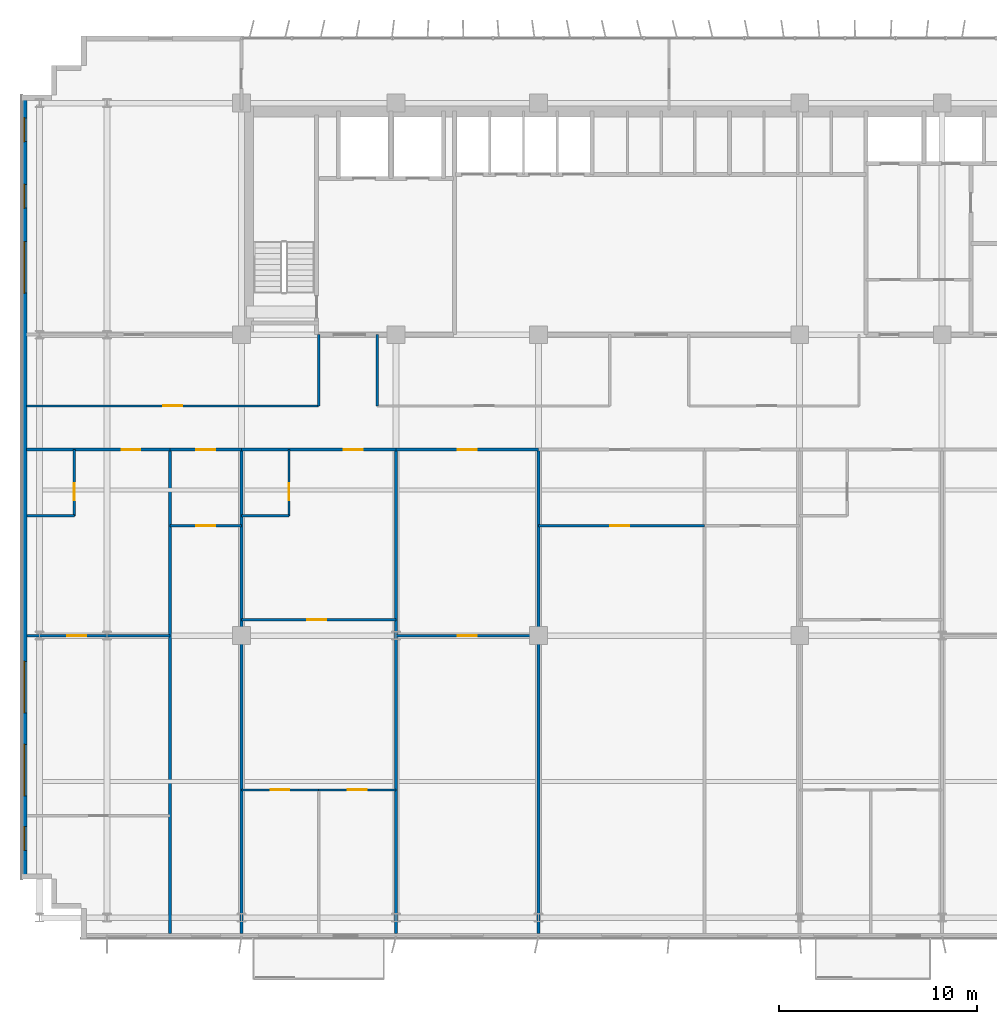
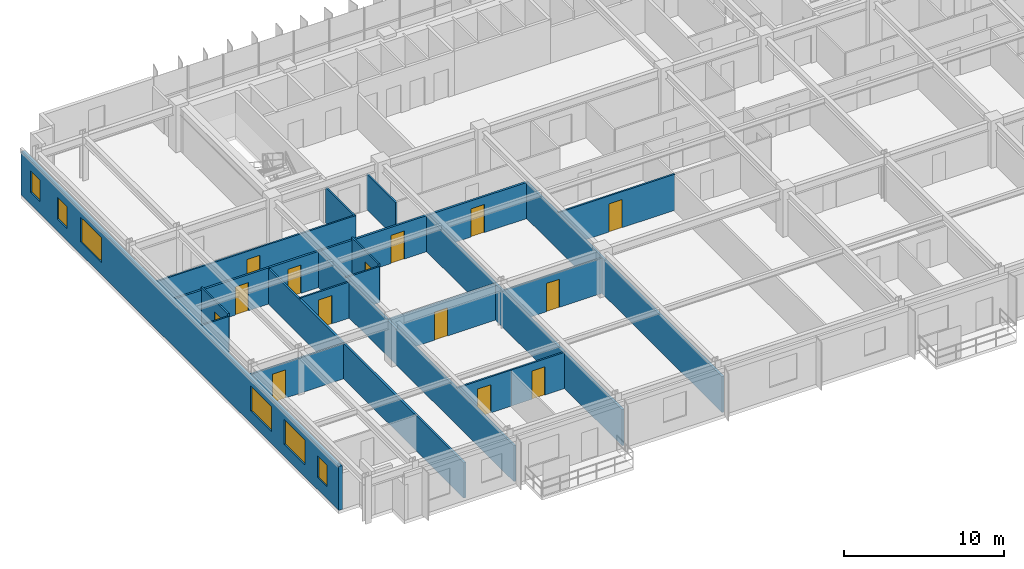
# One storey, part 15 of 22: 23 walls, 14 doors, 6 windows, 20 openings.
"""IFC4 building model written with IfcOpenShell, lengths in metres."""

from ifc_helpers import new_model, si_unit, direction, frame, frame_2d, origin, place, context, subcontext, project, spatial, rectangle, extrude, source, transform, mapped, material, layer, layer_set, type_object, element, fill, save


model = new_model("IFC4")

# Units and contexts
model_context = context("Model", 3, precision=1e-05, world=origin(), true_north=direction((0.0, 1.0)))
body_context = subcontext(model_context, "Body", "Model", "MODEL_VIEW")
ifc_project = project(units=[si_unit("LENGTHUNIT", "METRE"), si_unit("AREAUNIT", "SQUARE_METRE"), si_unit("VOLUMEUNIT", "CUBIC_METRE"), si_unit("PLANEANGLEUNIT", "RADIAN"), si_unit("MASSUNIT", "GRAM", prefix="KILO")], contexts=[model_context])

# Site, building, storey
site_placement = place(None, origin())
site = spatial("IfcSite", under=ifc_project, at=site_placement, CompositionType="ELEMENT")
building_placement = place(site_placement, origin())
building = spatial("IfcBuilding", under=site, at=building_placement, Name="Trelvane Seafront Commons", CompositionType="ELEMENT")
storey_placement = place(building_placement, frame((0.0, 0.0, 48.699951171875)))
storey = spatial("IfcBuildingStorey", under=building, at=storey_placement, Name="L12", CompositionType="ELEMENT", Elevation=48.699951171875)

# Wall, openings, windows
ifc_material_1 = material(Name="Precast concrete C40/50", Category="concrete")
ifc_layer_1 = layer(ifc_material_1, 0.260009765625, Name="ARCH-WALL-EXT260")
ifc_layer_set_1 = layer_set([ifc_layer_1], Name="Precast concrete C40/50")
wall_type_1 = type_object("IfcWallType", Name="ARCH-WALL-EXT260", PredefinedType="SOLIDWALL", material=ifc_layer_set_1)
wall_1_placement = place(storey_placement, frame((4.6298828125, 5.89990234375, 0.0), z_axis=(0.0, 0.0, 1.0), x_axis=(0.0, 1.0, 0.0)))
wall_1 = element("IfcWall", 1, at=wall_1_placement, inside=storey, type_object=wall_type_1, Name="EW-L12-00197", PredefinedType="SOLIDWALL", context=body_context, shape_type="SweptSolid", body=[
    extrude(rectangle(XDim=39.60009765625, YDim=0.260009765625, at=frame_2d((19.800048828125, 0.0))), origin(), (0.0, 0.0, 1.0), 3.340087890625),
])
opening_1_placement = place(wall_1_placement, frame((1.449951171875, 0.0, 0.919921875)))
opening_1 = element("IfcOpeningElement", 2, at=opening_1_placement, cuts=wall_1, Name="Opening W05", PredefinedType="OPENING", context=body_context, shape_type="SweptSolid", body=[
    extrude(rectangle(XDim=1.199951171875, YDim=1.64990234375, at=frame_2d((0.60009765625, 0.824951171875))), frame((0.0, 0.139892578125, 0.0), z_axis=(0.0, -1.0, 0.0), x_axis=(1.0, 0.0, 0.0)), (0.0, 0.0, 1.0), 0.280029296875),
])
opening_2_placement = place(wall_1_placement, frame((4.199951171875, 0.0, 0.919921875)))
opening_2 = element("IfcOpeningElement", 3, at=opening_2_placement, cuts=wall_1, Name="Opening W04", PredefinedType="OPENING", context=body_context, shape_type="SweptSolid", body=[
    extrude(rectangle(XDim=2.60009765625, YDim=1.89990234375, at=frame_2d((1.300048828125, 0.949951171875))), frame((0.0, 0.139892578125, 0.0), z_axis=(0.0, -1.0, 0.0), x_axis=(1.0, 0.0, 0.0)), (0.0, 0.0, 1.0), 0.280029296875),
])
opening_3_placement = place(wall_1_placement, frame((8.39990234375, 0.0, 0.919921875)))
opening_3 = element("IfcOpeningElement", 4, at=opening_3_placement, cuts=wall_1, Name="Opening W04", PredefinedType="OPENING", context=body_context, shape_type="SweptSolid", body=[
    extrude(rectangle(XDim=2.60009765625, YDim=1.89990234375, at=frame_2d((1.300048828125, 0.949951171875))), frame((0.0, 0.139892578125, 0.0), z_axis=(0.0, -1.0, 0.0), x_axis=(1.0, 0.0, 0.0)), (0.0, 0.0, 1.0), 0.280029296875),
])
opening_4_placement = place(wall_1_placement, frame((29.60009765625, 0.0, 0.919921875)))
opening_4 = element("IfcOpeningElement", 5, at=opening_4_placement, cuts=wall_1, Name="Opening W04", PredefinedType="OPENING", context=body_context, shape_type="SweptSolid", body=[
    extrude(rectangle(XDim=2.60009765625, YDim=1.89990234375, at=frame_2d((1.300048828125, 0.949951171875))), frame((0.0, 0.139892578125, 0.0), z_axis=(0.0, -1.0, 0.0), x_axis=(1.0, 0.0, 0.0)), (0.0, 0.0, 1.0), 0.280029296875),
])
opening_5_placement = place(wall_1_placement, frame((33.89990234375, 0.0, 0.919921875)))
opening_5 = element("IfcOpeningElement", 6, at=opening_5_placement, cuts=wall_1, Name="Opening W05", PredefinedType="OPENING", context=body_context, shape_type="SweptSolid", body=[
    extrude(rectangle(XDim=1.199951171875, YDim=1.64990234375, at=frame_2d((0.60009765625, 0.824951171875))), frame((0.0, 0.139892578125, 0.0), z_axis=(0.0, -1.0, 0.0), x_axis=(1.0, 0.0, 0.0)), (0.0, 0.0, 1.0), 0.280029296875),
])
opening_6_placement = place(wall_1_placement, frame((37.25, 0.0, 0.919921875)))
opening_6 = element("IfcOpeningElement", 7, at=opening_6_placement, cuts=wall_1, Name="Opening W05", PredefinedType="OPENING", context=body_context, shape_type="SweptSolid", body=[
    extrude(rectangle(XDim=1.199951171875, YDim=1.64990234375, at=frame_2d((0.60009765625, 0.824951171875))), frame((0.0, 0.139892578125, 0.0), z_axis=(0.0, -1.0, 0.0), x_axis=(1.0, 0.0, 0.0)), (0.0, 0.0, 1.0), 0.280029296875),
])
ifc_material_2 = material(Name="Low-E coastal double glazing", Category="glass")
window_type_1 = type_object("IfcWindowType", Name="ARCH-WIN-W04", PartitioningType="SINGLE_PANEL", PredefinedType="WINDOW", material=ifc_material_2)
shared_shape_1 = source(origin(), body_context, "Body", "SweptSolid", [
    extrude(rectangle(XDim=2.60009765625, YDim=1.89990234375, at=frame_2d((1.300048828125, 0.949951171875))), frame((0.0, 0.030029296875, 0.0), z_axis=(0.0, -1.0, 0.0), x_axis=(1.0, 0.0, 0.0)), (0.0, 0.0, 1.0), 0.06005859375),
])
window_1_placement = place(opening_2_placement, origin())
window_1 = element("IfcWindow", 8, at=window_1_placement, inside=storey, type_object=window_type_1, Name="WIN-L12-EW-00240", OverallHeight=1.89990234375, OverallWidth=2.60009765625, PartitioningType="SINGLE_PANEL", PredefinedType="WINDOW", context=body_context, shape_type="MappedRepresentation", body=[
    mapped(shared_shape_1, transform((0.0, 0.0, 0.0), x_axis=(1.0, 0.0, 0.0), y_axis=(0.0, 1.0, 0.0), z_axis=(0.0, 0.0, 1.0), scale=1.0)),
])
fill(opening_2, window_1)
window_2_placement = place(opening_3_placement, origin())
window_2 = element("IfcWindow", 9, at=window_2_placement, inside=storey, type_object=window_type_1, Name="WIN-L12-EW-00241", OverallHeight=1.89990234375, OverallWidth=2.60009765625, PartitioningType="SINGLE_PANEL", PredefinedType="WINDOW", context=body_context, shape_type="MappedRepresentation", body=[
    mapped(shared_shape_1, transform((0.0, 0.0, 0.0), x_axis=(1.0, 0.0, 0.0), y_axis=(0.0, 1.0, 0.0), z_axis=(0.0, 0.0, 1.0), scale=1.0)),
])
fill(opening_3, window_2)
window_3_placement = place(opening_4_placement, origin())
window_3 = element("IfcWindow", 10, at=window_3_placement, inside=storey, type_object=window_type_1, Name="WIN-L12-EW-00242", OverallHeight=1.89990234375, OverallWidth=2.60009765625, PartitioningType="SINGLE_PANEL", PredefinedType="WINDOW", context=body_context, shape_type="MappedRepresentation", body=[
    mapped(shared_shape_1, transform((0.0, 0.0, 0.0), x_axis=(1.0, 0.0, 0.0), y_axis=(0.0, 1.0, 0.0), z_axis=(0.0, 0.0, 1.0), scale=1.0)),
])
fill(opening_4, window_3)
window_type_2 = type_object("IfcWindowType", Name="ARCH-WIN-W05", PartitioningType="SINGLE_PANEL", PredefinedType="WINDOW", material=ifc_material_2)
shared_shape_2 = source(origin(), body_context, "Body", "SweptSolid", [
    extrude(rectangle(XDim=1.199951171875, YDim=1.64990234375, at=frame_2d((0.60009765625, 0.824951171875))), frame((0.0, 0.030029296875, 0.0), z_axis=(0.0, -1.0, 0.0), x_axis=(1.0, 0.0, 0.0)), (0.0, 0.0, 1.0), 0.06005859375),
])
window_4_placement = place(opening_1_placement, origin())
window_4 = element("IfcWindow", 11, at=window_4_placement, inside=storey, type_object=window_type_2, Name="WIN-L12-EW-00239", OverallHeight=1.64990234375, OverallWidth=1.199951171875, PartitioningType="SINGLE_PANEL", PredefinedType="WINDOW", context=body_context, shape_type="MappedRepresentation", body=[
    mapped(shared_shape_2, transform((0.0, 0.0, 0.0), x_axis=(1.0, 0.0, 0.0), y_axis=(0.0, 1.0, 0.0), z_axis=(0.0, 0.0, 1.0), scale=1.0)),
])
fill(opening_1, window_4)
window_5_placement = place(opening_5_placement, origin())
window_5 = element("IfcWindow", 12, at=window_5_placement, inside=storey, type_object=window_type_2, Name="WIN-L12-EW-00243", OverallHeight=1.64990234375, OverallWidth=1.199951171875, PartitioningType="SINGLE_PANEL", PredefinedType="WINDOW", context=body_context, shape_type="MappedRepresentation", body=[
    mapped(shared_shape_2, transform((0.0, 0.0, 0.0), x_axis=(1.0, 0.0, 0.0), y_axis=(0.0, 1.0, 0.0), z_axis=(0.0, 0.0, 1.0), scale=1.0)),
])
fill(opening_5, window_5)
window_6_placement = place(opening_6_placement, origin())
window_6 = element("IfcWindow", 13, at=window_6_placement, inside=storey, type_object=window_type_2, Name="WIN-L12-EW-00244", OverallHeight=1.64990234375, OverallWidth=1.199951171875, PartitioningType="SINGLE_PANEL", PredefinedType="WINDOW", context=body_context, shape_type="MappedRepresentation", body=[
    mapped(shared_shape_2, transform((0.0, 0.0, 0.0), x_axis=(1.0, 0.0, 0.0), y_axis=(0.0, 1.0, 0.0), z_axis=(0.0, 0.0, 1.0), scale=1.0)),
])
fill(opening_6, window_6)

# Wall, opening, door
ifc_material_3 = material(Name="Gypsum Drywall Acoustic Partition")
ifc_layer_2 = layer(ifc_material_3, 0.1201171875, Name="ARCH-WALL-PART120")
ifc_layer_set_2 = layer_set([ifc_layer_2], Name="Gypsum Drywall Acoustic Partition")
wall_type_2 = type_object("IfcWallType", Name="ARCH-WALL-PART120", PredefinedType="PARTITIONING", material=ifc_layer_set_2)
wall_2_placement = place(storey_placement, frame((4.75, 29.800048828125, 0.0), z_axis=(0.0, 0.0, 1.0), x_axis=(1.0, 0.0, 0.0)))
wall_2 = element("IfcWall", 14, at=wall_2_placement, inside=storey, type_object=wall_type_2, Name="W-L12-CORR-N-W-038", PredefinedType="PARTITIONING", context=body_context, shape_type="SweptSolid", body=[
    extrude(rectangle(XDim=14.75, YDim=0.1201171875, at=frame_2d((7.375, 0.0))), origin(), (0.0, 0.0, 1.0), 2.751953125),
])
opening_7_placement = place(wall_2_placement, frame((6.89990234375, 0.0, 0.0)))
opening_7 = element("IfcOpeningElement", 15, at=opening_7_placement, cuts=wall_2, Name="Opening D-L12-18", PredefinedType="OPENING", context=body_context, shape_type="SweptSolid", body=[
    extrude(rectangle(XDim=0.949951171875, YDim=2.14990234375, at=frame_2d((0.47509765625, 1.074951171875))), frame((0.0, 0.070068359375, 0.0), z_axis=(0.0, -1.0, 0.0), x_axis=(1.0, 0.0, 0.0)), (0.0, 0.0, 1.0), 0.14013671875),
])
ifc_material_4 = material(Name="Acoustic timber door leaf", Category="wood")
door_type_1 = type_object("IfcDoorType", Name="ARCH-DR-INT950", OperationType="NOTDEFINED", PredefinedType="DOOR", material=ifc_material_4)
shared_shape_3 = source(origin(), body_context, "Body", "SweptSolid", [
    extrude(rectangle(XDim=0.949951171875, YDim=2.14990234375, at=frame_2d((0.47509765625, 1.074951171875))), frame((0.0, 0.02490234375, 0.0), z_axis=(0.0, -1.0, 0.0), x_axis=(1.0, 0.0, 0.0)), (0.0, 0.0, 1.0), 0.050048828125),
])
door_1_placement = place(opening_7_placement, origin())
door_1 = element("IfcDoor", 16, at=door_1_placement, inside=storey, type_object=door_type_1, Name="L12 Door 18", OperationType="SINGLE_SWING_RIGHT", OverallHeight=2.14990234375, OverallWidth=0.949951171875, PredefinedType="DOOR", context=body_context, shape_type="MappedRepresentation", body=[
    mapped(shared_shape_3, transform((0.0, 0.0, 0.0), x_axis=(1.0, 0.0, 0.0), y_axis=(0.0, 1.0, 0.0), z_axis=(0.0, 0.0, 1.0), scale=1.0)),
])
fill(opening_7, door_1)

# Walls
for number, where, z_axis, x_axis, name in (
    (17, (19.5, 29.800048828125, 0.0), (0.0, 0.0, 1.0), (0.0, 1.0, 0.0), "W-L12-N-SPUR-W1-043"),
    (18, (22.449951171875, 29.800048828125, 0.0), (0.0, 0.0, 1.0), (0.0, 1.0, 0.0), "W-L12-N-SPUR-W2-044"),
):
    element("IfcWall", number, at=place(storey_placement, frame(where, z_axis=z_axis, x_axis=x_axis)), inside=storey, type_object=wall_type_2, Name=name, PredefinedType="PARTITIONING", context=body_context, shape_type="SweptSolid", body=[
        extrude(rectangle(XDim=3.599853515625, YDim=0.1201171875, at=frame_2d((1.7998046875, 0.0))), origin(), (0.0, 0.0, 1.0), 2.68994140625),
    ])

# Wall, opening, door
wall_3_placement = place(storey_placement, frame((4.760009765625, 18.199951171875, 0.0), z_axis=(0.0, 0.0, 1.0), x_axis=(1.0, 0.0, 0.0)))
wall_3 = element("IfcWall", 19, at=wall_3_placement, inside=storey, type_object=wall_type_2, Name="W-L12-U1-KL-068", PredefinedType="PARTITIONING", context=body_context, shape_type="SweptSolid", body=[
    extrude(rectangle(XDim=7.239990234375, YDim=0.1201171875, at=frame_2d((3.6201171875, 0.0))), origin(), (0.0, 0.0, 1.0), 2.68994140625),
])
opening_8_placement = place(wall_3_placement, frame((2.0390625, 0.0, 0.0)))
opening_8 = element("IfcOpeningElement", 20, at=opening_8_placement, cuts=wall_3, Name="Opening D-L12-31", PredefinedType="OPENING", context=body_context, shape_type="SweptSolid", body=[
    extrude(rectangle(XDim=0.949951171875, YDim=2.14990234375, at=frame_2d((0.47509765625, 1.074951171875))), frame((0.0, 0.070068359375, 0.0), z_axis=(0.0, -1.0, 0.0), x_axis=(1.0, 0.0, 0.0)), (0.0, 0.0, 1.0), 0.14013671875),
])
door_2_placement = place(opening_8_placement, origin())
door_2 = element("IfcDoor", 21, at=door_2_placement, inside=storey, type_object=door_type_1, Name="L12 Door 31", OperationType="SINGLE_SWING_LEFT", OverallHeight=2.14990234375, OverallWidth=0.949951171875, PredefinedType="DOOR", context=body_context, shape_type="MappedRepresentation", body=[
    mapped(shared_shape_3, transform((0.0, 0.0, 0.0), x_axis=(1.0, 0.0, 0.0), y_axis=(0.0, 1.0, 0.0), z_axis=(0.0, 0.0, 1.0), scale=1.0)),
])
fill(opening_8, door_2)

wall_4_placement = place(storey_placement, frame((7.159912109375, 24.25, 0.0), z_axis=(0.0, 0.0, 1.0), x_axis=(0.0, 1.0, 0.0)))
wall_4 = element("IfcWall", 22, at=wall_4_placement, inside=storey, type_object=wall_type_2, Name="W-L12-U1-BE-069", PredefinedType="PARTITIONING", context=body_context, shape_type="SweptSolid", body=[
    extrude(rectangle(XDim=3.35009765625, YDim=0.1201171875, at=frame_2d((1.675048828125, 0.0))), origin(), (0.0, 0.0, 1.0), 2.93994140625),
])
opening_9_placement = place(wall_4_placement, frame((0.800048828125, 0.0, 0.0)))
opening_9 = element("IfcOpeningElement", 23, at=opening_9_placement, cuts=wall_4, Name="Opening D-L12-32", PredefinedType="OPENING", context=body_context, shape_type="SweptSolid", body=[
    extrude(rectangle(XDim=0.85009765625, YDim=2.10009765625, at=frame_2d((0.425048828125, 1.050048828125))), frame((0.0, 0.070068359375, 0.0), z_axis=(0.0, -1.0, 0.0), x_axis=(1.0, 0.0, 0.0)), (0.0, 0.0, 1.0), 0.14013671875),
])
door_type_2 = type_object("IfcDoorType", Name="ARCH-DR-INT850", OperationType="NOTDEFINED", PredefinedType="DOOR", material=ifc_material_4)
shared_shape_4 = source(origin(), body_context, "Body", "SweptSolid", [
    extrude(rectangle(XDim=0.85009765625, YDim=2.10009765625, at=frame_2d((0.425048828125, 1.050048828125))), frame((0.0, 0.02490234375, 0.0), z_axis=(0.0, -1.0, 0.0), x_axis=(1.0, 0.0, 0.0)), (0.0, 0.0, 1.0), 0.050048828125),
])
door_3_placement = place(opening_9_placement, origin())
door_3 = element("IfcDoor", 24, at=door_3_placement, inside=storey, type_object=door_type_2, Name="L12 Door 32", OperationType="SINGLE_SWING_RIGHT", OverallHeight=2.10009765625, OverallWidth=0.85009765625, PredefinedType="DOOR", context=body_context, shape_type="MappedRepresentation", body=[
    mapped(shared_shape_4, transform((0.0, 0.0, 0.0), x_axis=(1.0, 0.0, 0.0), y_axis=(0.0, 1.0, 0.0), z_axis=(0.0, 0.0, 1.0), scale=1.0)),
])
fill(opening_9, door_3)

# Wall
wall_5_placement = place(storey_placement, frame((4.760009765625, 24.25, 0.0), z_axis=(0.0, 0.0, 1.0), x_axis=(1.0, 0.0, 0.0)))
element("IfcWall", 25, at=wall_5_placement, inside=storey, type_object=wall_type_2, Name="W-L12-U1-BS-070", PredefinedType="PARTITIONING", context=body_context, shape_type="SweptSolid", body=[
    extrude(rectangle(XDim=2.39990234375, YDim=0.1201171875, at=frame_2d((1.199951171875, 0.0))), origin(), (0.0, 0.0, 1.0), 2.751953125),
])

# Wall, opening, door
wall_6_placement = place(storey_placement, frame((12.0, 23.75, 0.0), z_axis=(0.0, 0.0, 1.0), x_axis=(1.0, 0.0, 0.0)))
wall_6 = element("IfcWall", 26, at=wall_6_placement, inside=storey, type_object=wall_type_2, Name="W-L12-U2-DIV-074", PredefinedType="PARTITIONING", context=body_context, shape_type="SweptSolid", body=[
    extrude(rectangle(XDim=3.60009765625, YDim=0.1201171875, at=frame_2d((1.800048828125, 0.0))), origin(), (0.0, 0.0, 1.0), 2.751953125),
])
opening_10_placement = place(wall_6_placement, frame((1.324951171875, 0.0, 0.0)))
opening_10 = element("IfcOpeningElement", 27, at=opening_10_placement, cuts=wall_6, Name="Opening D-L12-36", PredefinedType="OPENING", context=body_context, shape_type="SweptSolid", body=[
    extrude(rectangle(XDim=0.949951171875, YDim=2.14990234375, at=frame_2d((0.47509765625, 1.074951171875))), frame((0.0, 0.070068359375, 0.0), z_axis=(0.0, -1.0, 0.0), x_axis=(1.0, 0.0, 0.0)), (0.0, 0.0, 1.0), 0.14013671875),
])
door_4_placement = place(opening_10_placement, origin())
door_4 = element("IfcDoor", 28, at=door_4_placement, inside=storey, type_object=door_type_1, Name="L12 Door 36", OperationType="SINGLE_SWING_RIGHT", OverallHeight=2.14990234375, OverallWidth=0.949951171875, PredefinedType="DOOR", context=body_context, shape_type="MappedRepresentation", body=[
    mapped(shared_shape_3, transform((0.0, 0.0, 0.0), x_axis=(1.0, 0.0, 0.0), y_axis=(0.0, 1.0, 0.0), z_axis=(0.0, 0.0, 1.0), scale=1.0)),
])
fill(opening_10, door_4)

wall_7_placement = place(storey_placement, frame((15.60009765625, 19.0, 0.0), z_axis=(0.0, 0.0, 1.0), x_axis=(1.0, 0.0, 0.0)))
wall_7 = element("IfcWall", 29, at=wall_7_placement, inside=storey, type_object=wall_type_2, Name="W-L12-U3-KL-075", PredefinedType="PARTITIONING", context=body_context, shape_type="SweptSolid", body=[
    extrude(rectangle(XDim=7.7998046875, YDim=0.1201171875, at=frame_2d((3.89990234375, 0.0))), origin(), (0.0, 0.0, 1.0), 2.751953125),
])
opening_11_placement = place(wall_7_placement, frame((3.3330078125, 0.0, 0.0)))
opening_11 = element("IfcOpeningElement", 30, at=opening_11_placement, cuts=wall_7, Name="Opening D-L12-37", PredefinedType="OPENING", context=body_context, shape_type="SweptSolid", body=[
    extrude(rectangle(XDim=0.949951171875, YDim=2.14990234375, at=frame_2d((0.47509765625, 1.074951171875))), frame((0.0, 0.070068359375, 0.0), z_axis=(0.0, -1.0, 0.0), x_axis=(1.0, 0.0, 0.0)), (0.0, 0.0, 1.0), 0.14013671875),
])
door_5_placement = place(opening_11_placement, origin())
door_5 = element("IfcDoor", 31, at=door_5_placement, inside=storey, type_object=door_type_1, Name="L12 Door 37", OperationType="SINGLE_SWING_LEFT", OverallHeight=2.14990234375, OverallWidth=0.949951171875, PredefinedType="DOOR", context=body_context, shape_type="MappedRepresentation", body=[
    mapped(shared_shape_3, transform((0.0, 0.0, 0.0), x_axis=(1.0, 0.0, 0.0), y_axis=(0.0, 1.0, 0.0), z_axis=(0.0, 0.0, 1.0), scale=1.0)),
])
fill(opening_11, door_5)

wall_8_placement = place(storey_placement, frame((18.0, 24.25, 0.0), z_axis=(0.0, 0.0, 1.0), x_axis=(0.0, 1.0, 0.0)))
wall_8 = element("IfcWall", 32, at=wall_8_placement, inside=storey, type_object=wall_type_2, Name="W-L12-U3-BE-076", PredefinedType="PARTITIONING", context=body_context, shape_type="SweptSolid", body=[
    extrude(rectangle(XDim=3.35009765625, YDim=0.1201171875, at=frame_2d((1.675048828125, 0.0))), origin(), (0.0, 0.0, 1.0), 2.93994140625),
])
opening_12_placement = place(wall_8_placement, frame((0.800048828125, 0.0, 0.0)))
opening_12 = element("IfcOpeningElement", 33, at=opening_12_placement, cuts=wall_8, Name="Opening D-L12-38", PredefinedType="OPENING", context=body_context, shape_type="SweptSolid", body=[
    extrude(rectangle(XDim=0.85009765625, YDim=2.10009765625, at=frame_2d((0.425048828125, 1.050048828125))), frame((0.0, 0.070068359375, 0.0), z_axis=(0.0, -1.0, 0.0), x_axis=(1.0, 0.0, 0.0)), (0.0, 0.0, 1.0), 0.14013671875),
])
door_6_placement = place(opening_12_placement, origin())
door_6 = element("IfcDoor", 34, at=door_6_placement, inside=storey, type_object=door_type_2, Name="L12 Door 38", OperationType="SINGLE_SWING_RIGHT", OverallHeight=2.10009765625, OverallWidth=0.85009765625, PredefinedType="DOOR", context=body_context, shape_type="MappedRepresentation", body=[
    mapped(shared_shape_4, transform((0.0, 0.0, 0.0), x_axis=(1.0, 0.0, 0.0), y_axis=(0.0, 1.0, 0.0), z_axis=(0.0, 0.0, 1.0), scale=1.0)),
])
fill(opening_12, door_6)

# Wall
wall_9_placement = place(storey_placement, frame((15.60009765625, 24.25, 0.0), z_axis=(0.0, 0.0, 1.0), x_axis=(1.0, 0.0, 0.0)))
element("IfcWall", 35, at=wall_9_placement, inside=storey, type_object=wall_type_2, Name="W-L12-U3-BS-077", PredefinedType="PARTITIONING", context=body_context, shape_type="SweptSolid", body=[
    extrude(rectangle(XDim=2.39990234375, YDim=0.1201171875, at=frame_2d((1.199951171875, 0.0))), origin(), (0.0, 0.0, 1.0), 2.751953125),
])

# Wall, opening, door
wall_10_placement = place(storey_placement, frame((15.60009765625, 10.39990234375, 0.0), z_axis=(0.0, 0.0, 1.0), x_axis=(1.0, 0.0, 0.0)))
wall_10 = element("IfcWall", 36, at=wall_10_placement, inside=storey, type_object=wall_type_2, Name="W-L12-U3-YM-1-079", PredefinedType="PARTITIONING", context=body_context, shape_type="SweptSolid", body=[
    extrude(rectangle(XDim=3.89990234375, YDim=0.1201171875, at=frame_2d((1.949951171875, 0.0))), origin(), (0.0, 0.0, 1.0), 2.751953125),
])
opening_13_placement = place(wall_10_placement, frame((1.47509765625, 0.0, 0.0)))
opening_13 = element("IfcOpeningElement", 37, at=opening_13_placement, cuts=wall_10, Name="Opening D-L12-40", PredefinedType="OPENING", context=body_context, shape_type="SweptSolid", body=[
    extrude(rectangle(XDim=0.949951171875, YDim=2.14990234375, at=frame_2d((0.47509765625, 1.074951171875))), frame((0.0, 0.070068359375, 0.0), z_axis=(0.0, -1.0, 0.0), x_axis=(1.0, 0.0, 0.0)), (0.0, 0.0, 1.0), 0.14013671875),
])
door_7_placement = place(opening_13_placement, origin())
door_7 = element("IfcDoor", 38, at=door_7_placement, inside=storey, type_object=door_type_1, Name="L12 Door 40", OperationType="SINGLE_SWING_RIGHT", OverallHeight=2.14990234375, OverallWidth=0.949951171875, PredefinedType="DOOR", context=body_context, shape_type="MappedRepresentation", body=[
    mapped(shared_shape_3, transform((0.0, 0.0, 0.0), x_axis=(1.0, 0.0, 0.0), y_axis=(0.0, 1.0, 0.0), z_axis=(0.0, 0.0, 1.0), scale=1.0)),
])
fill(opening_13, door_7)

wall_11_placement = place(storey_placement, frame((19.5, 10.39990234375, 0.0), z_axis=(0.0, 0.0, 1.0), x_axis=(1.0, 0.0, 0.0)))
wall_11 = element("IfcWall", 39, at=wall_11_placement, inside=storey, type_object=wall_type_2, Name="W-L12-U3-YM-2-080", PredefinedType="PARTITIONING", context=body_context, shape_type="SweptSolid", body=[
    extrude(rectangle(XDim=3.89990234375, YDim=0.1201171875, at=frame_2d((1.949951171875, 0.0))), origin(), (0.0, 0.0, 1.0), 2.751953125),
])
opening_14_placement = place(wall_11_placement, frame((1.47509765625, 0.0, 0.0)))
opening_14 = element("IfcOpeningElement", 40, at=opening_14_placement, cuts=wall_11, Name="Opening D-L12-41", PredefinedType="OPENING", context=body_context, shape_type="SweptSolid", body=[
    extrude(rectangle(XDim=0.949951171875, YDim=2.14990234375, at=frame_2d((0.47509765625, 1.074951171875))), frame((0.0, 0.070068359375, 0.0), z_axis=(0.0, -1.0, 0.0), x_axis=(1.0, 0.0, 0.0)), (0.0, 0.0, 1.0), 0.14013671875),
])
door_8_placement = place(opening_14_placement, origin())
door_8 = element("IfcDoor", 41, at=door_8_placement, inside=storey, type_object=door_type_1, Name="L12 Door 41", OperationType="SINGLE_SWING_LEFT", OverallHeight=2.14990234375, OverallWidth=0.949951171875, PredefinedType="DOOR", context=body_context, shape_type="MappedRepresentation", body=[
    mapped(shared_shape_3, transform((0.0, 0.0, 0.0), x_axis=(1.0, 0.0, 0.0), y_axis=(0.0, 1.0, 0.0), z_axis=(0.0, 0.0, 1.0), scale=1.0)),
])
fill(opening_14, door_8)

wall_12_placement = place(storey_placement, frame((23.39990234375, 18.199951171875, 0.0), z_axis=(0.0, 0.0, 1.0), x_axis=(1.0, 0.0, 0.0)))
wall_12 = element("IfcWall", 42, at=wall_12_placement, inside=storey, type_object=wall_type_2, Name="W-L12-U4-DIV-083", PredefinedType="PARTITIONING", context=body_context, shape_type="SweptSolid", body=[
    extrude(rectangle(XDim=7.2001953125, YDim=0.1201171875, at=frame_2d((3.60009765625, 0.0))), origin(), (0.0, 0.0, 1.0), 2.68994140625),
])
opening_15_placement = place(wall_12_placement, frame((3.125, 0.0, 0.0)))
opening_15 = element("IfcOpeningElement", 43, at=opening_15_placement, cuts=wall_12, Name="Opening D-L12-43", PredefinedType="OPENING", context=body_context, shape_type="SweptSolid", body=[
    extrude(rectangle(XDim=0.949951171875, YDim=2.14990234375, at=frame_2d((0.47509765625, 1.074951171875))), frame((0.0, 0.070068359375, 0.0), z_axis=(0.0, -1.0, 0.0), x_axis=(1.0, 0.0, 0.0)), (0.0, 0.0, 1.0), 0.14013671875),
])
door_9_placement = place(opening_15_placement, origin())
door_9 = element("IfcDoor", 44, at=door_9_placement, inside=storey, type_object=door_type_1, Name="L12 Door 43", OperationType="SINGLE_SWING_LEFT", OverallHeight=2.14990234375, OverallWidth=0.949951171875, PredefinedType="DOOR", context=body_context, shape_type="MappedRepresentation", body=[
    mapped(shared_shape_3, transform((0.0, 0.0, 0.0), x_axis=(1.0, 0.0, 0.0), y_axis=(0.0, 1.0, 0.0), z_axis=(0.0, 0.0, 1.0), scale=1.0)),
])
fill(opening_15, door_9)

wall_13_placement = place(storey_placement, frame((30.60009765625, 23.75, 0.0), z_axis=(0.0, 0.0, 1.0), x_axis=(1.0, 0.0, 0.0)))
wall_13 = element("IfcWall", 45, at=wall_13_placement, inside=storey, type_object=wall_type_2, Name="W-L12-U5-DIV-085", PredefinedType="PARTITIONING", context=body_context, shape_type="SweptSolid", body=[
    extrude(rectangle(XDim=8.39990234375, YDim=0.1201171875, at=frame_2d((4.199951171875, 0.0))), origin(), (0.0, 0.0, 1.0), 2.751953125),
])
opening_16_placement = place(wall_13_placement, frame((3.635009765625, 0.0, 0.0)))
opening_16 = element("IfcOpeningElement", 46, at=opening_16_placement, cuts=wall_13, Name="Opening D-L12-45", PredefinedType="OPENING", context=body_context, shape_type="SweptSolid", body=[
    extrude(rectangle(XDim=0.949951171875, YDim=2.14990234375, at=frame_2d((0.47509765625, 1.074951171875))), frame((0.0, 0.070068359375, 0.0), z_axis=(0.0, -1.0, 0.0), x_axis=(1.0, 0.0, 0.0)), (0.0, 0.0, 1.0), 0.14013671875),
])
door_10_placement = place(opening_16_placement, origin())
door_10 = element("IfcDoor", 47, at=door_10_placement, inside=storey, type_object=door_type_1, Name="L12 Door 45", OperationType="SINGLE_SWING_LEFT", OverallHeight=2.14990234375, OverallWidth=0.949951171875, PredefinedType="DOOR", context=body_context, shape_type="MappedRepresentation", body=[
    mapped(shared_shape_3, transform((0.0, 0.0, 0.0), x_axis=(1.0, 0.0, 0.0), y_axis=(0.0, 1.0, 0.0), z_axis=(0.0, 0.0, 1.0), scale=1.0)),
])
fill(opening_16, door_10)

# Walls
ifc_layer_3 = layer(ifc_material_3, 0.14990234375, Name="ARCH-WALL-PART150")
ifc_layer_set_3 = layer_set([ifc_layer_3], Name="Gypsum Drywall Acoustic Partition")
wall_type_3 = type_object("IfcWallType", Name="ARCH-WALL-PART150", PredefinedType="PARTITIONING", material=ifc_layer_set_3)
wall_14_placement = place(storey_placement, frame((12.0, 3.14501953125, 0.0), z_axis=(0.0, 0.0, 1.0), x_axis=(0.0, 1.0, 0.0)))
element("IfcWall", 48, at=wall_14_placement, inside=storey, type_object=wall_type_3, Name="W-L12-PW-1-059", PredefinedType="PARTITIONING", context=body_context, shape_type="SweptSolid", body=[
    extrude(rectangle(XDim=24.455078125, YDim=0.14990234375, at=frame_2d((12.2275390625, 0.0))), origin(), (0.0, 0.0, 1.0), 2.68994140625),
])
for number, where, z_axis, x_axis, name in (
    (49, (15.60009765625, 3.14501953125, 0.0), (0.0, 0.0, 1.0), (0.0, 1.0, 0.0), "W-L12-PW-2-060"),
    (50, (23.39990234375, 3.14501953125, 0.0), (0.0, 0.0, 1.0), (0.0, 1.0, 0.0), "W-L12-PW-3-061"),
    (51, (30.60009765625, 3.14501953125, 0.0), (0.0, 0.0, 1.0), (0.0, 1.0, 0.0), "W-L12-PW-4-062"),
):
    element("IfcWall", number, at=place(storey_placement, frame(where, z_axis=z_axis, x_axis=x_axis)), inside=storey, type_object=wall_type_3, Name=name, PredefinedType="PARTITIONING", context=body_context, shape_type="SweptSolid", body=[
        extrude(rectangle(XDim=24.455078125, YDim=0.14990234375, at=frame_2d((12.2275390625, 0.0))), origin(), (0.0, 0.0, 1.0), 2.751953125),
    ])

# Wall, opening, door
wall_15_placement = place(storey_placement, frame((4.7451171875, 27.60009765625, 0.0), z_axis=(0.0, 0.0, 1.0), x_axis=(1.0, 0.0, 0.0)))
wall_15 = element("IfcWall", 52, at=wall_15_placement, inside=storey, type_object=wall_type_3, Name="W-L12-CS-BAY-1-071", PredefinedType="PARTITIONING", context=body_context, shape_type="SweptSolid", body=[
    extrude(rectangle(XDim=7.2548828125, YDim=0.14990234375, at=frame_2d((3.62744140625, 0.0))), origin(), (0.0, 0.0, 1.0), 2.751953125),
])
opening_17_placement = place(wall_15_placement, frame((4.799072265625, 0.0, 0.0)))
opening_17 = element("IfcOpeningElement", 53, at=opening_17_placement, cuts=wall_15, Name="Opening FD-L12-33", PredefinedType="OPENING", context=body_context, shape_type="SweptSolid", body=[
    extrude(rectangle(XDim=0.949951171875, YDim=2.14990234375, at=frame_2d((0.47509765625, 1.074951171875))), frame((0.0, 0.0849609375, 0.0), z_axis=(0.0, -1.0, 0.0), x_axis=(1.0, 0.0, 0.0)), (0.0, 0.0, 1.0), 0.169921875),
])
ifc_material_5 = material(Name="Powder-coated aluminium frame", Category="aluminium")
door_type_3 = type_object("IfcDoorType", Name="ARCH-DR-FD60-950", OperationType="NOTDEFINED", PredefinedType="DOOR", material=ifc_material_5)
door_11_placement = place(opening_17_placement, origin())
door_11 = element("IfcDoor", 54, at=door_11_placement, inside=storey, type_object=door_type_3, Name="L12 Unit 01 Entrance Door", OperationType="SINGLE_SWING_LEFT", OverallHeight=2.14990234375, OverallWidth=0.949951171875, PredefinedType="DOOR", context=body_context, shape_type="MappedRepresentation", body=[
    mapped(shared_shape_3, transform((0.0, 0.0, 0.0), x_axis=(1.0, 0.0, 0.0), y_axis=(0.0, 1.0, 0.0), z_axis=(0.0, 0.0, 1.0), scale=1.0)),
])
fill(opening_17, door_11)

wall_16_placement = place(storey_placement, frame((12.0, 27.60009765625, 0.0), z_axis=(0.0, 0.0, 1.0), x_axis=(1.0, 0.0, 0.0)))
wall_16 = element("IfcWall", 55, at=wall_16_placement, inside=storey, type_object=wall_type_3, Name="W-L12-CS-BAY-2-073", PredefinedType="PARTITIONING", context=body_context, shape_type="SweptSolid", body=[
    extrude(rectangle(XDim=3.60009765625, YDim=0.14990234375, at=frame_2d((1.800048828125, 0.0))), origin(), (0.0, 0.0, 1.0), 2.751953125),
])
opening_18_placement = place(wall_16_placement, frame((1.324951171875, 0.0, 0.0)))
opening_18 = element("IfcOpeningElement", 56, at=opening_18_placement, cuts=wall_16, Name="Opening FD-L12-35", PredefinedType="OPENING", context=body_context, shape_type="SweptSolid", body=[
    extrude(rectangle(XDim=0.949951171875, YDim=2.14990234375, at=frame_2d((0.47509765625, 1.074951171875))), frame((0.0, 0.0849609375, 0.0), z_axis=(0.0, -1.0, 0.0), x_axis=(1.0, 0.0, 0.0)), (0.0, 0.0, 1.0), 0.169921875),
])
door_12_placement = place(opening_18_placement, origin())
door_12 = element("IfcDoor", 57, at=door_12_placement, inside=storey, type_object=door_type_3, Name="L12 Bay 02 Entrance Door", OperationType="SINGLE_SWING_LEFT", OverallHeight=2.14990234375, OverallWidth=0.949951171875, PredefinedType="DOOR", context=body_context, shape_type="MappedRepresentation", body=[
    mapped(shared_shape_3, transform((0.0, 0.0, 0.0), x_axis=(1.0, 0.0, 0.0), y_axis=(0.0, 1.0, 0.0), z_axis=(0.0, 0.0, 1.0), scale=1.0)),
])
fill(opening_18, door_12)

wall_17_placement = place(storey_placement, frame((15.60009765625, 27.60009765625, 0.0), z_axis=(0.0, 0.0, 1.0), x_axis=(1.0, 0.0, 0.0)))
wall_17 = element("IfcWall", 58, at=wall_17_placement, inside=storey, type_object=wall_type_3, Name="W-L12-CS-BAY-3-078", PredefinedType="PARTITIONING", context=body_context, shape_type="SweptSolid", body=[
    extrude(rectangle(XDim=7.7998046875, YDim=0.14990234375, at=frame_2d((3.89990234375, 0.0))), origin(), (0.0, 0.0, 1.0), 2.751953125),
])
opening_19_placement = place(wall_17_placement, frame((5.172119140625, 0.0, 0.0)))
opening_19 = element("IfcOpeningElement", 59, at=opening_19_placement, cuts=wall_17, Name="Opening FD-L12-39", PredefinedType="OPENING", context=body_context, shape_type="SweptSolid", body=[
    extrude(rectangle(XDim=0.949951171875, YDim=2.14990234375, at=frame_2d((0.47509765625, 1.074951171875))), frame((0.0, 0.0849609375, 0.0), z_axis=(0.0, -1.0, 0.0), x_axis=(1.0, 0.0, 0.0)), (0.0, 0.0, 1.0), 0.169921875),
])
door_13_placement = place(opening_19_placement, origin())
door_13 = element("IfcDoor", 60, at=door_13_placement, inside=storey, type_object=door_type_3, Name="L12 Unit 03 Entrance Door", OperationType="SINGLE_SWING_LEFT", OverallHeight=2.14990234375, OverallWidth=0.949951171875, PredefinedType="DOOR", context=body_context, shape_type="MappedRepresentation", body=[
    mapped(shared_shape_3, transform((0.0, 0.0, 0.0), x_axis=(1.0, 0.0, 0.0), y_axis=(0.0, 1.0, 0.0), z_axis=(0.0, 0.0, 1.0), scale=1.0)),
])
fill(opening_19, door_13)

wall_18_placement = place(storey_placement, frame((23.39990234375, 27.60009765625, 0.0), z_axis=(0.0, 0.0, 1.0), x_axis=(1.0, 0.0, 0.0)))
wall_18 = element("IfcWall", 61, at=wall_18_placement, inside=storey, type_object=wall_type_3, Name="W-L12-CS-BAY-4-082", PredefinedType="PARTITIONING", context=body_context, shape_type="SweptSolid", body=[
    extrude(rectangle(XDim=7.2001953125, YDim=0.14990234375, at=frame_2d((3.60009765625, 0.0))), origin(), (0.0, 0.0, 1.0), 2.751953125),
])
opening_20_placement = place(wall_18_placement, frame((3.125, 0.0, 0.0)))
opening_20 = element("IfcOpeningElement", 62, at=opening_20_placement, cuts=wall_18, Name="Opening FD-L12-42", PredefinedType="OPENING", context=body_context, shape_type="SweptSolid", body=[
    extrude(rectangle(XDim=0.949951171875, YDim=2.14990234375, at=frame_2d((0.47509765625, 1.074951171875))), frame((0.0, 0.0849609375, 0.0), z_axis=(0.0, -1.0, 0.0), x_axis=(1.0, 0.0, 0.0)), (0.0, 0.0, 1.0), 0.169921875),
])
door_14_placement = place(opening_20_placement, origin())
door_14 = element("IfcDoor", 63, at=door_14_placement, inside=storey, type_object=door_type_3, Name="L12 Bay 04 Entrance Door", OperationType="SINGLE_SWING_RIGHT", OverallHeight=2.14990234375, OverallWidth=0.949951171875, PredefinedType="DOOR", context=body_context, shape_type="MappedRepresentation", body=[
    mapped(shared_shape_3, transform((0.0, 0.0, 0.0), x_axis=(1.0, 0.0, 0.0), y_axis=(0.0, 1.0, 0.0), z_axis=(0.0, 0.0, 1.0), scale=1.0)),
])
fill(opening_20, door_14)

save(model, "model.ifc")
